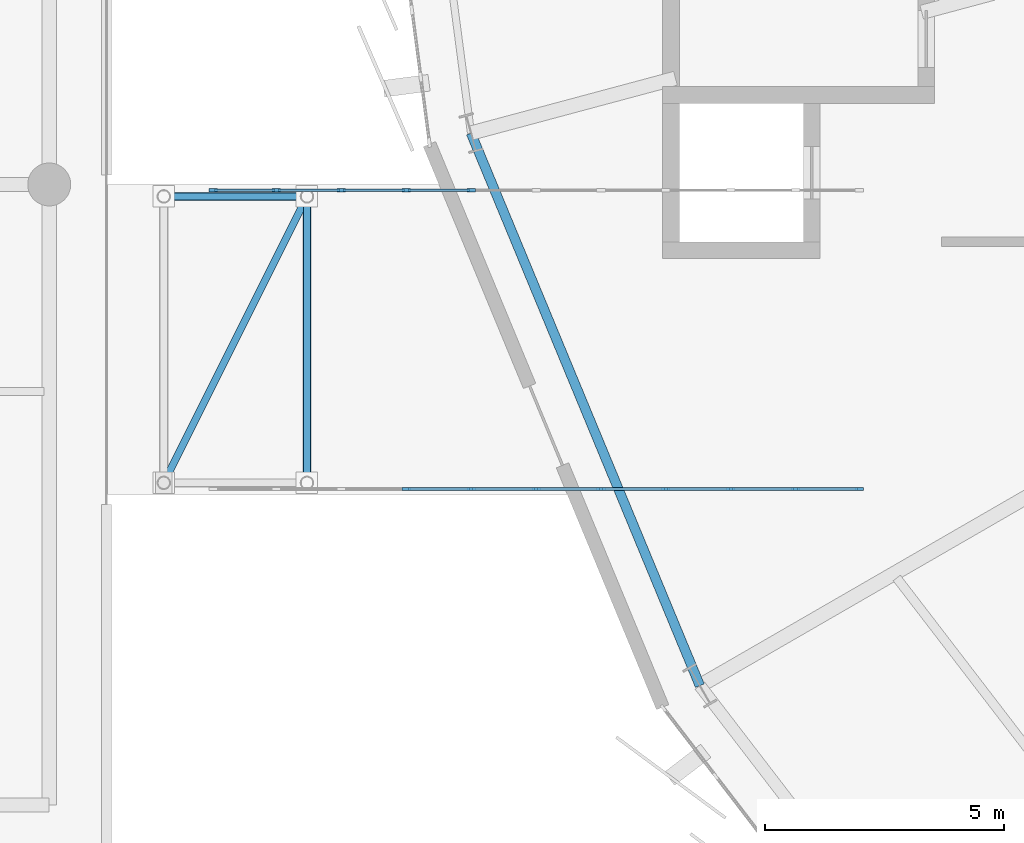
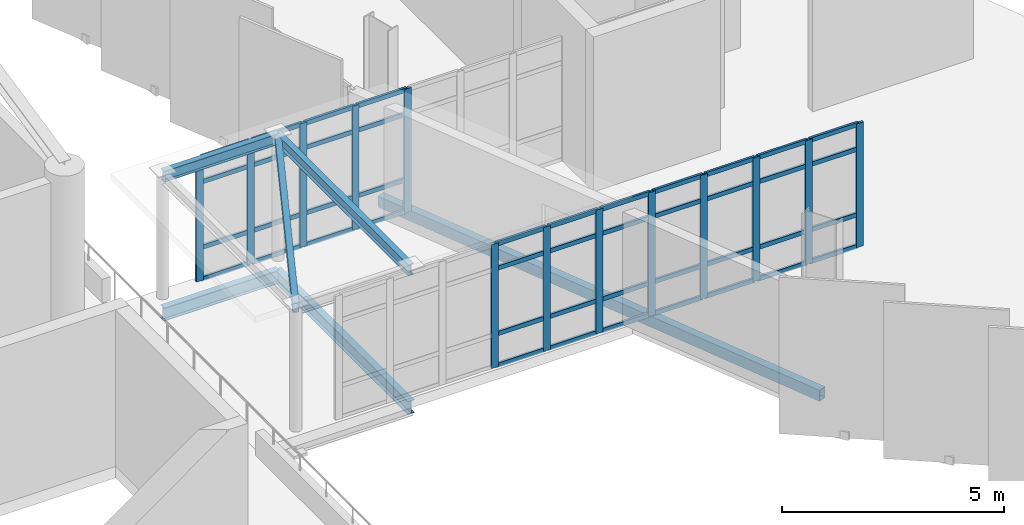
# One storey, part 28 of 120: 58 members, 5 beams, 2 elements without a shape of their own.
"""IFC4 building model written with IfcOpenShell, lengths in metres."""

from ifc_helpers import new_model, si_unit, direction, frame, origin, origin_2d, place, context, subcontext, project, spatial, rectangle, hollow_rectangle, i_section, extrude, material, layer, layer_set, material_profile, profile_set, type_object, element, aggregate, save


model = new_model("IFC4")

# Units and contexts
model_context = context("Model", 3, precision=1e-05, world=origin(), true_north=direction((0.0, 1.0)))
body_context = subcontext(model_context, "Body", "Model", "MODEL_VIEW")
ifc_project = project(units=[si_unit("LENGTHUNIT", "METRE"), si_unit("AREAUNIT", "SQUARE_METRE"), si_unit("VOLUMEUNIT", "CUBIC_METRE"), si_unit("PLANEANGLEUNIT", "RADIAN"), si_unit("MASSUNIT", "GRAM", prefix="KILO")], contexts=[model_context])

# Site, building, storey
site_placement = place(None, origin())
site = spatial("IfcSite", under=ifc_project, at=site_placement, CompositionType="ELEMENT")
building_placement = place(site_placement, origin())
building = spatial("IfcBuilding", under=site, at=building_placement, Name="Sohan Crest Arena", CompositionType="ELEMENT")
storey_placement = place(building_placement, frame((0.0, 0.0, 13.5)))
storey = spatial("IfcBuildingStorey", under=building, at=storey_placement, Name="L03", CompositionType="ELEMENT", Elevation=13.5)

# Curtain wall, members
ifc_material_1 = material(Name="Thermally broken anodised aluminium", Category="aluminium")
ifc_layer = layer(ifc_material_1, 0.18994140625, Name="Thermally broken anodised aluminium")
ifc_layer_set = layer_set([ifc_layer], Name="Thermally broken anodised aluminium")
curtain_wall_type = type_object("IfcCurtainWallType", Name="ARC-CW05", PredefinedType="NOTDEFINED", material=ifc_layer_set)
curtain_wall_1_placement = place(storey_placement, origin())
curtain_wall_1 = element("IfcCurtainWall", 1, at=curtain_wall_1_placement, inside=storey, type_object=curtain_wall_type, Name="Unitised curtain wall CW-229", PredefinedType="NOTDEFINED")
ifc_material_profile_1 = material_profile(ifc_material_1, rectangle(XDim=0.06494140625, YDim=0.179931640625, at=origin_2d()), Name="ALU-MULL 65x180")
ifc_profile_set_1 = profile_set([ifc_material_profile_1], Name="Thermally broken anodised aluminium")
member_type_1 = type_object("IfcMemberType", Name="ARC-CW-ML02", PredefinedType="MULLION", material=ifc_profile_set_1)
member_1_placement = place(storey_placement, frame((50.280029296875, 58.1201171875, 0.0), z_axis=(0.0, 0.0, 1.0), x_axis=(0.0, 1.0, 0.0)))
member_1 = element("IfcMember", 2, at=member_1_placement, type_object=member_type_1, Name="CW-229 mullion 4", PredefinedType="MULLION", context=body_context, shape_type="SweptSolid", body=[
    extrude(rectangle(XDim=0.06494140625, YDim=0.179931640625, at=origin_2d()), origin(), (0.0, 0.0, 1.0), 3.39990234375),
])
member_2_placement = place(storey_placement, frame((51.639892578125, 58.1201171875, 0.0), z_axis=(0.0, 0.0, 1.0), x_axis=(0.0, 1.0, 0.0)))
member_2 = element("IfcMember", 3, at=member_2_placement, type_object=member_type_1, Name="CW-229 mullion 5", PredefinedType="MULLION", context=body_context, shape_type="SweptSolid", body=[
    extrude(rectangle(XDim=0.06494140625, YDim=0.179931640625, at=origin_2d()), origin(), (0.0, 0.0, 1.0), 3.39990234375),
])
member_3_placement = place(storey_placement, frame((53.0, 58.1201171875, 0.0), z_axis=(0.0, 0.0, 1.0), x_axis=(0.0, 1.0, 0.0)))
member_3 = element("IfcMember", 4, at=member_3_placement, type_object=member_type_1, Name="CW-229 mullion 6", PredefinedType="MULLION", context=body_context, shape_type="SweptSolid", body=[
    extrude(rectangle(XDim=0.06494140625, YDim=0.179931640625, at=origin_2d()), origin(), (0.0, 0.0, 1.0), 3.39990234375),
])
member_4_placement = place(storey_placement, frame((54.360107421875, 58.1201171875, 0.0), z_axis=(0.0, 0.0, 1.0), x_axis=(0.0, 1.0, 0.0)))
member_4 = element("IfcMember", 5, at=member_4_placement, type_object=member_type_1, Name="CW-229 mullion 7", PredefinedType="MULLION", context=body_context, shape_type="SweptSolid", body=[
    extrude(rectangle(XDim=0.06494140625, YDim=0.179931640625, at=origin_2d()), origin(), (0.0, 0.0, 1.0), 3.39990234375),
])
member_5_placement = place(storey_placement, frame((55.719970703125, 58.1201171875, 0.0), z_axis=(0.0, 0.0, 1.0), x_axis=(0.0, 1.0, 0.0)))
member_5 = element("IfcMember", 6, at=member_5_placement, type_object=member_type_1, Name="CW-229 mullion 8", PredefinedType="MULLION", context=body_context, shape_type="SweptSolid", body=[
    extrude(rectangle(XDim=0.06494140625, YDim=0.179931640625, at=origin_2d()), origin(), (0.0, 0.0, 1.0), 3.39990234375),
])
member_6_placement = place(storey_placement, frame((57.080078125, 58.1201171875, 0.0), z_axis=(0.0, 0.0, 1.0), x_axis=(0.0, 1.0, 0.0)))
member_6 = element("IfcMember", 7, at=member_6_placement, type_object=member_type_1, Name="CW-229 mullion 9", PredefinedType="MULLION", context=body_context, shape_type="SweptSolid", body=[
    extrude(rectangle(XDim=0.06494140625, YDim=0.179931640625, at=origin_2d()), origin(), (0.0, 0.0, 1.0), 3.39990234375),
])
member_7_placement = place(storey_placement, frame((58.43994140625, 58.1201171875, 0.0), z_axis=(0.0, 0.0, 1.0), x_axis=(0.0, 1.0, 0.0)))
member_7 = element("IfcMember", 8, at=member_7_placement, type_object=member_type_1, Name="CW-229 mullion 10", PredefinedType="MULLION", context=body_context, shape_type="SweptSolid", body=[
    extrude(rectangle(XDim=0.06494140625, YDim=0.179931640625, at=origin_2d()), origin(), (0.0, 0.0, 1.0), 3.39990234375),
])
member_8_placement = place(storey_placement, frame((59.767578125, 58.1201171875, 0.0), z_axis=(0.0, 0.0, 1.0), x_axis=(0.0, 1.0, 0.0)))
member_8 = element("IfcMember", 9, at=member_8_placement, type_object=member_type_1, Name="CW-229 mullion 11", PredefinedType="MULLION", context=body_context, shape_type="SweptSolid", body=[
    extrude(rectangle(XDim=0.06494140625, YDim=0.179931640625, at=origin_2d()), origin(), (0.0, 0.0, 1.0), 3.39990234375),
])

curtain_wall_2_placement = place(storey_placement, origin())
curtain_wall_2 = element("IfcCurtainWall", 10, at=curtain_wall_2_placement, inside=storey, type_object=curtain_wall_type, Name="Unitised curtain wall CW-230", PredefinedType="NOTDEFINED")
member_9_placement = place(storey_placement, frame((46.232421875, 64.3798828125, 0.0), z_axis=(0.0, 0.0, 1.0), x_axis=(0.0, 1.0, 0.0)))
member_9 = element("IfcMember", 11, at=member_9_placement, type_object=member_type_1, Name="CW-230 mullion 1", PredefinedType="MULLION", context=body_context, shape_type="SweptSolid", body=[
    extrude(rectangle(XDim=0.06494140625, YDim=0.179931640625, at=origin_2d()), origin(), (0.0, 0.0, 1.0), 3.39990234375),
])
member_10_placement = place(storey_placement, frame((47.56005859375, 64.3798828125, 0.0), z_axis=(0.0, 0.0, 1.0), x_axis=(0.0, 1.0, 0.0)))
member_10 = element("IfcMember", 12, at=member_10_placement, type_object=member_type_1, Name="CW-230 mullion 2", PredefinedType="MULLION", context=body_context, shape_type="SweptSolid", body=[
    extrude(rectangle(XDim=0.06494140625, YDim=0.179931640625, at=origin_2d()), origin(), (0.0, 0.0, 1.0), 3.39990234375),
])
member_11_placement = place(storey_placement, frame((48.919921875, 64.3798828125, 0.0), z_axis=(0.0, 0.0, 1.0), x_axis=(0.0, 1.0, 0.0)))
member_11 = element("IfcMember", 13, at=member_11_placement, type_object=member_type_1, Name="CW-230 mullion 3", PredefinedType="MULLION", context=body_context, shape_type="SweptSolid", body=[
    extrude(rectangle(XDim=0.06494140625, YDim=0.179931640625, at=origin_2d()), origin(), (0.0, 0.0, 1.0), 3.39990234375),
])
member_12_placement = place(storey_placement, frame((50.280029296875, 64.3798828125, 0.0), z_axis=(0.0, 0.0, 1.0), x_axis=(0.0, 1.0, 0.0)))
member_12 = element("IfcMember", 14, at=member_12_placement, type_object=member_type_1, Name="CW-230 mullion 4", PredefinedType="MULLION", context=body_context, shape_type="SweptSolid", body=[
    extrude(rectangle(XDim=0.06494140625, YDim=0.179931640625, at=origin_2d()), origin(), (0.0, 0.0, 1.0), 3.39990234375),
])
member_13_placement = place(storey_placement, frame((51.639892578125, 64.3798828125, 0.0), z_axis=(0.0, 0.0, 1.0), x_axis=(0.0, 1.0, 0.0)))
member_13 = element("IfcMember", 15, at=member_13_placement, type_object=member_type_1, Name="CW-230 mullion 5", PredefinedType="MULLION", context=body_context, shape_type="SweptSolid", body=[
    extrude(rectangle(XDim=0.06494140625, YDim=0.179931640625, at=origin_2d()), origin(), (0.0, 0.0, 1.0), 3.39990234375),
])

# Member
ifc_material_profile_2 = material_profile(ifc_material_1, rectangle(XDim=0.06005859375, YDim=0.1201171875, at=origin_2d()), Name="ALU-TRAN 60x120")
ifc_profile_set_2 = profile_set([ifc_material_profile_2], Name="Thermally broken anodised aluminium")
member_type_2 = type_object("IfcMemberType", Name="ARC-CW-TR01", PredefinedType="USERDEFINED", material=ifc_profile_set_2)
member_14_placement = place(storey_placement, frame((50.3125, 58.1201171875, 0.030029296875), z_axis=(1.0, 0.0, 0.0), x_axis=(0.0, 1.0, 0.0)))
member_14 = element("IfcMember", 16, at=member_14_placement, type_object=member_type_2, Name="CW-229 transom 4.1", ObjectType="TRANSOM", PredefinedType="USERDEFINED", context=body_context, shape_type="SweptSolid", body=[
    extrude(rectangle(XDim=0.06005859375, YDim=0.1201171875, at=origin_2d()), origin(), (0.0, 0.0, 1.0), 1.294921875),
])

member_15_placement = place(storey_placement, frame((50.3125, 58.1201171875, 0.89990234375), z_axis=(1.0, 0.0, 0.0), x_axis=(0.0, 1.0, 0.0)))
member_15 = element("IfcMember", 17, at=member_15_placement, type_object=member_type_2, Name="CW-229 transom 4.2", ObjectType="TRANSOM", PredefinedType="USERDEFINED", context=body_context, shape_type="SweptSolid", body=[
    extrude(rectangle(XDim=0.06005859375, YDim=0.1201171875, at=origin_2d()), origin(), (0.0, 0.0, 1.0), 1.294921875),
])

member_16_placement = place(storey_placement, frame((50.3125, 58.1201171875, 2.699951171875), z_axis=(1.0, 0.0, 0.0), x_axis=(0.0, 1.0, 0.0)))
member_16 = element("IfcMember", 18, at=member_16_placement, type_object=member_type_2, Name="CW-229 transom 4.3", ObjectType="TRANSOM", PredefinedType="USERDEFINED", context=body_context, shape_type="SweptSolid", body=[
    extrude(rectangle(XDim=0.06005859375, YDim=0.1201171875, at=origin_2d()), origin(), (0.0, 0.0, 1.0), 1.294921875),
])

member_17_placement = place(storey_placement, frame((50.3125, 58.1201171875, 3.3701171875), z_axis=(1.0, 0.0, 0.0), x_axis=(0.0, 1.0, 0.0)))
member_17 = element("IfcMember", 19, at=member_17_placement, type_object=member_type_2, Name="CW-229 transom 4.4", ObjectType="TRANSOM", PredefinedType="USERDEFINED", context=body_context, shape_type="SweptSolid", body=[
    extrude(rectangle(XDim=0.06005859375, YDim=0.1201171875, at=origin_2d()), origin(), (0.0, 0.0, 1.0), 1.294921875),
])

member_18_placement = place(storey_placement, frame((51.672607421875, 58.1201171875, 0.030029296875), z_axis=(1.0, 0.0, 0.0), x_axis=(0.0, 1.0, 0.0)))
member_18 = element("IfcMember", 20, at=member_18_placement, type_object=member_type_2, Name="CW-229 transom 5.1", ObjectType="TRANSOM", PredefinedType="USERDEFINED", context=body_context, shape_type="SweptSolid", body=[
    extrude(rectangle(XDim=0.06005859375, YDim=0.1201171875, at=origin_2d()), origin(), (0.0, 0.0, 1.0), 1.294921875),
])

member_19_placement = place(storey_placement, frame((51.672607421875, 58.1201171875, 0.89990234375), z_axis=(1.0, 0.0, 0.0), x_axis=(0.0, 1.0, 0.0)))
member_19 = element("IfcMember", 21, at=member_19_placement, type_object=member_type_2, Name="CW-229 transom 5.2", ObjectType="TRANSOM", PredefinedType="USERDEFINED", context=body_context, shape_type="SweptSolid", body=[
    extrude(rectangle(XDim=0.06005859375, YDim=0.1201171875, at=origin_2d()), origin(), (0.0, 0.0, 1.0), 1.294921875),
])

member_20_placement = place(storey_placement, frame((51.672607421875, 58.1201171875, 2.699951171875), z_axis=(1.0, 0.0, 0.0), x_axis=(0.0, 1.0, 0.0)))
member_20 = element("IfcMember", 22, at=member_20_placement, type_object=member_type_2, Name="CW-229 transom 5.3", ObjectType="TRANSOM", PredefinedType="USERDEFINED", context=body_context, shape_type="SweptSolid", body=[
    extrude(rectangle(XDim=0.06005859375, YDim=0.1201171875, at=origin_2d()), origin(), (0.0, 0.0, 1.0), 1.294921875),
])

member_21_placement = place(storey_placement, frame((51.672607421875, 58.1201171875, 3.3701171875), z_axis=(1.0, 0.0, 0.0), x_axis=(0.0, 1.0, 0.0)))
member_21 = element("IfcMember", 23, at=member_21_placement, type_object=member_type_2, Name="CW-229 transom 5.4", ObjectType="TRANSOM", PredefinedType="USERDEFINED", context=body_context, shape_type="SweptSolid", body=[
    extrude(rectangle(XDim=0.06005859375, YDim=0.1201171875, at=origin_2d()), origin(), (0.0, 0.0, 1.0), 1.294921875),
])

member_22_placement = place(storey_placement, frame((53.032470703125, 58.1201171875, 0.030029296875), z_axis=(1.0, 0.0, 0.0), x_axis=(0.0, 1.0, 0.0)))
member_22 = element("IfcMember", 24, at=member_22_placement, type_object=member_type_2, Name="CW-229 transom 6.1", ObjectType="TRANSOM", PredefinedType="USERDEFINED", context=body_context, shape_type="SweptSolid", body=[
    extrude(rectangle(XDim=0.06005859375, YDim=0.1201171875, at=origin_2d()), origin(), (0.0, 0.0, 1.0), 1.294921875),
])

member_23_placement = place(storey_placement, frame((53.032470703125, 58.1201171875, 0.89990234375), z_axis=(1.0, 0.0, 0.0), x_axis=(0.0, 1.0, 0.0)))
member_23 = element("IfcMember", 25, at=member_23_placement, type_object=member_type_2, Name="CW-229 transom 6.2", ObjectType="TRANSOM", PredefinedType="USERDEFINED", context=body_context, shape_type="SweptSolid", body=[
    extrude(rectangle(XDim=0.06005859375, YDim=0.1201171875, at=origin_2d()), origin(), (0.0, 0.0, 1.0), 1.294921875),
])

member_24_placement = place(storey_placement, frame((53.032470703125, 58.1201171875, 2.699951171875), z_axis=(1.0, 0.0, 0.0), x_axis=(0.0, 1.0, 0.0)))
member_24 = element("IfcMember", 26, at=member_24_placement, type_object=member_type_2, Name="CW-229 transom 6.3", ObjectType="TRANSOM", PredefinedType="USERDEFINED", context=body_context, shape_type="SweptSolid", body=[
    extrude(rectangle(XDim=0.06005859375, YDim=0.1201171875, at=origin_2d()), origin(), (0.0, 0.0, 1.0), 1.294921875),
])

member_25_placement = place(storey_placement, frame((53.032470703125, 58.1201171875, 3.3701171875), z_axis=(1.0, 0.0, 0.0), x_axis=(0.0, 1.0, 0.0)))
member_25 = element("IfcMember", 27, at=member_25_placement, type_object=member_type_2, Name="CW-229 transom 6.4", ObjectType="TRANSOM", PredefinedType="USERDEFINED", context=body_context, shape_type="SweptSolid", body=[
    extrude(rectangle(XDim=0.06005859375, YDim=0.1201171875, at=origin_2d()), origin(), (0.0, 0.0, 1.0), 1.294921875),
])

member_26_placement = place(storey_placement, frame((54.392578125, 58.1201171875, 0.030029296875), z_axis=(1.0, 0.0, 0.0), x_axis=(0.0, 1.0, 0.0)))
member_26 = element("IfcMember", 28, at=member_26_placement, type_object=member_type_2, Name="CW-229 transom 7.1", ObjectType="TRANSOM", PredefinedType="USERDEFINED", context=body_context, shape_type="SweptSolid", body=[
    extrude(rectangle(XDim=0.06005859375, YDim=0.1201171875, at=origin_2d()), origin(), (0.0, 0.0, 1.0), 1.294921875),
])

member_27_placement = place(storey_placement, frame((54.392578125, 58.1201171875, 0.89990234375), z_axis=(1.0, 0.0, 0.0), x_axis=(0.0, 1.0, 0.0)))
member_27 = element("IfcMember", 29, at=member_27_placement, type_object=member_type_2, Name="CW-229 transom 7.2", ObjectType="TRANSOM", PredefinedType="USERDEFINED", context=body_context, shape_type="SweptSolid", body=[
    extrude(rectangle(XDim=0.06005859375, YDim=0.1201171875, at=origin_2d()), origin(), (0.0, 0.0, 1.0), 1.294921875),
])

member_28_placement = place(storey_placement, frame((54.392578125, 58.1201171875, 2.699951171875), z_axis=(1.0, 0.0, 0.0), x_axis=(0.0, 1.0, 0.0)))
member_28 = element("IfcMember", 30, at=member_28_placement, type_object=member_type_2, Name="CW-229 transom 7.3", ObjectType="TRANSOM", PredefinedType="USERDEFINED", context=body_context, shape_type="SweptSolid", body=[
    extrude(rectangle(XDim=0.06005859375, YDim=0.1201171875, at=origin_2d()), origin(), (0.0, 0.0, 1.0), 1.294921875),
])

member_29_placement = place(storey_placement, frame((54.392578125, 58.1201171875, 3.3701171875), z_axis=(1.0, 0.0, 0.0), x_axis=(0.0, 1.0, 0.0)))
member_29 = element("IfcMember", 31, at=member_29_placement, type_object=member_type_2, Name="CW-229 transom 7.4", ObjectType="TRANSOM", PredefinedType="USERDEFINED", context=body_context, shape_type="SweptSolid", body=[
    extrude(rectangle(XDim=0.06005859375, YDim=0.1201171875, at=origin_2d()), origin(), (0.0, 0.0, 1.0), 1.294921875),
])

member_30_placement = place(storey_placement, frame((55.75244140625, 58.1201171875, 0.030029296875), z_axis=(1.0, 0.0, 0.0), x_axis=(0.0, 1.0, 0.0)))
member_30 = element("IfcMember", 32, at=member_30_placement, type_object=member_type_2, Name="CW-229 transom 8.1", ObjectType="TRANSOM", PredefinedType="USERDEFINED", context=body_context, shape_type="SweptSolid", body=[
    extrude(rectangle(XDim=0.06005859375, YDim=0.1201171875, at=origin_2d()), origin(), (0.0, 0.0, 1.0), 1.295166015625),
])

member_31_placement = place(storey_placement, frame((55.75244140625, 58.1201171875, 0.89990234375), z_axis=(1.0, 0.0, 0.0), x_axis=(0.0, 1.0, 0.0)))
member_31 = element("IfcMember", 33, at=member_31_placement, type_object=member_type_2, Name="CW-229 transom 8.2", ObjectType="TRANSOM", PredefinedType="USERDEFINED", context=body_context, shape_type="SweptSolid", body=[
    extrude(rectangle(XDim=0.06005859375, YDim=0.1201171875, at=origin_2d()), origin(), (0.0, 0.0, 1.0), 1.295166015625),
])

member_32_placement = place(storey_placement, frame((55.75244140625, 58.1201171875, 2.699951171875), z_axis=(1.0, 0.0, 0.0), x_axis=(0.0, 1.0, 0.0)))
member_32 = element("IfcMember", 34, at=member_32_placement, type_object=member_type_2, Name="CW-229 transom 8.3", ObjectType="TRANSOM", PredefinedType="USERDEFINED", context=body_context, shape_type="SweptSolid", body=[
    extrude(rectangle(XDim=0.06005859375, YDim=0.1201171875, at=origin_2d()), origin(), (0.0, 0.0, 1.0), 1.295166015625),
])

member_33_placement = place(storey_placement, frame((55.75244140625, 58.1201171875, 3.3701171875), z_axis=(1.0, 0.0, 0.0), x_axis=(0.0, 1.0, 0.0)))
member_33 = element("IfcMember", 35, at=member_33_placement, type_object=member_type_2, Name="CW-229 transom 8.4", ObjectType="TRANSOM", PredefinedType="USERDEFINED", context=body_context, shape_type="SweptSolid", body=[
    extrude(rectangle(XDim=0.06005859375, YDim=0.1201171875, at=origin_2d()), origin(), (0.0, 0.0, 1.0), 1.295166015625),
])

member_34_placement = place(storey_placement, frame((57.112548828125, 58.1201171875, 0.030029296875), z_axis=(1.0, 0.0, 0.0), x_axis=(0.0, 1.0, 0.0)))
member_34 = element("IfcMember", 36, at=member_34_placement, type_object=member_type_2, Name="CW-229 transom 9.1", ObjectType="TRANSOM", PredefinedType="USERDEFINED", context=body_context, shape_type="SweptSolid", body=[
    extrude(rectangle(XDim=0.06005859375, YDim=0.1201171875, at=origin_2d()), origin(), (0.0, 0.0, 1.0), 1.294921875),
])

member_35_placement = place(storey_placement, frame((57.112548828125, 58.1201171875, 0.89990234375), z_axis=(1.0, 0.0, 0.0), x_axis=(0.0, 1.0, 0.0)))
member_35 = element("IfcMember", 37, at=member_35_placement, type_object=member_type_2, Name="CW-229 transom 9.2", ObjectType="TRANSOM", PredefinedType="USERDEFINED", context=body_context, shape_type="SweptSolid", body=[
    extrude(rectangle(XDim=0.06005859375, YDim=0.1201171875, at=origin_2d()), origin(), (0.0, 0.0, 1.0), 1.294921875),
])

member_36_placement = place(storey_placement, frame((57.112548828125, 58.1201171875, 2.699951171875), z_axis=(1.0, 0.0, 0.0), x_axis=(0.0, 1.0, 0.0)))
member_36 = element("IfcMember", 38, at=member_36_placement, type_object=member_type_2, Name="CW-229 transom 9.3", ObjectType="TRANSOM", PredefinedType="USERDEFINED", context=body_context, shape_type="SweptSolid", body=[
    extrude(rectangle(XDim=0.06005859375, YDim=0.1201171875, at=origin_2d()), origin(), (0.0, 0.0, 1.0), 1.294921875),
])

member_37_placement = place(storey_placement, frame((57.112548828125, 58.1201171875, 3.3701171875), z_axis=(1.0, 0.0, 0.0), x_axis=(0.0, 1.0, 0.0)))
member_37 = element("IfcMember", 39, at=member_37_placement, type_object=member_type_2, Name="CW-229 transom 9.4", ObjectType="TRANSOM", PredefinedType="USERDEFINED", context=body_context, shape_type="SweptSolid", body=[
    extrude(rectangle(XDim=0.06005859375, YDim=0.1201171875, at=origin_2d()), origin(), (0.0, 0.0, 1.0), 1.294921875),
])

member_38_placement = place(storey_placement, frame((58.472412109375, 58.1201171875, 0.030029296875), z_axis=(1.0, 0.0, 0.0), x_axis=(0.0, 1.0, 0.0)))
member_38 = element("IfcMember", 40, at=member_38_placement, type_object=member_type_2, Name="CW-229 transom 10.1", ObjectType="TRANSOM", PredefinedType="USERDEFINED", context=body_context, shape_type="SweptSolid", body=[
    extrude(rectangle(XDim=0.06005859375, YDim=0.1201171875, at=origin_2d()), origin(), (0.0, 0.0, 1.0), 1.2626953125),
])

member_39_placement = place(storey_placement, frame((58.472412109375, 58.1201171875, 0.89990234375), z_axis=(1.0, 0.0, 0.0), x_axis=(0.0, 1.0, 0.0)))
member_39 = element("IfcMember", 41, at=member_39_placement, type_object=member_type_2, Name="CW-229 transom 10.2", ObjectType="TRANSOM", PredefinedType="USERDEFINED", context=body_context, shape_type="SweptSolid", body=[
    extrude(rectangle(XDim=0.06005859375, YDim=0.1201171875, at=origin_2d()), origin(), (0.0, 0.0, 1.0), 1.2626953125),
])

member_40_placement = place(storey_placement, frame((58.472412109375, 58.1201171875, 2.699951171875), z_axis=(1.0, 0.0, 0.0), x_axis=(0.0, 1.0, 0.0)))
member_40 = element("IfcMember", 42, at=member_40_placement, type_object=member_type_2, Name="CW-229 transom 10.3", ObjectType="TRANSOM", PredefinedType="USERDEFINED", context=body_context, shape_type="SweptSolid", body=[
    extrude(rectangle(XDim=0.06005859375, YDim=0.1201171875, at=origin_2d()), origin(), (0.0, 0.0, 1.0), 1.2626953125),
])

member_41_placement = place(storey_placement, frame((58.472412109375, 58.1201171875, 3.3701171875), z_axis=(1.0, 0.0, 0.0), x_axis=(0.0, 1.0, 0.0)))
member_41 = element("IfcMember", 43, at=member_41_placement, type_object=member_type_2, Name="CW-229 transom 10.4", ObjectType="TRANSOM", PredefinedType="USERDEFINED", context=body_context, shape_type="SweptSolid", body=[
    extrude(rectangle(XDim=0.06005859375, YDim=0.1201171875, at=origin_2d()), origin(), (0.0, 0.0, 1.0), 1.2626953125),
])

aggregate(curtain_wall_1, [member_1, member_2, member_3, member_4, member_5, member_6, member_7, member_8, member_14, member_15, member_16, member_17, member_18, member_19, member_20, member_21, member_22, member_23, member_24, member_25, member_26, member_27, member_28, member_29, member_30, member_31, member_32, member_33, member_34, member_35, member_36, member_37, member_38, member_39, member_40, member_41])

member_42_placement = place(storey_placement, frame((46.264892578125, 64.3798828125, 0.030029296875), z_axis=(1.0, 0.0, 0.0), x_axis=(0.0, 1.0, 0.0)))
member_42 = element("IfcMember", 44, at=member_42_placement, type_object=member_type_2, Name="CW-230 transom 1.1", ObjectType="TRANSOM", PredefinedType="USERDEFINED", context=body_context, shape_type="SweptSolid", body=[
    extrude(rectangle(XDim=0.06005859375, YDim=0.1201171875, at=origin_2d()), origin(), (0.0, 0.0, 1.0), 1.2626953125),
])

member_43_placement = place(storey_placement, frame((46.264892578125, 64.3798828125, 0.89990234375), z_axis=(1.0, 0.0, 0.0), x_axis=(0.0, 1.0, 0.0)))
member_43 = element("IfcMember", 45, at=member_43_placement, type_object=member_type_2, Name="CW-230 transom 1.2", ObjectType="TRANSOM", PredefinedType="USERDEFINED", context=body_context, shape_type="SweptSolid", body=[
    extrude(rectangle(XDim=0.06005859375, YDim=0.1201171875, at=origin_2d()), origin(), (0.0, 0.0, 1.0), 1.2626953125),
])

member_44_placement = place(storey_placement, frame((46.264892578125, 64.3798828125, 2.699951171875), z_axis=(1.0, 0.0, 0.0), x_axis=(0.0, 1.0, 0.0)))
member_44 = element("IfcMember", 46, at=member_44_placement, type_object=member_type_2, Name="CW-230 transom 1.3", ObjectType="TRANSOM", PredefinedType="USERDEFINED", context=body_context, shape_type="SweptSolid", body=[
    extrude(rectangle(XDim=0.06005859375, YDim=0.1201171875, at=origin_2d()), origin(), (0.0, 0.0, 1.0), 1.2626953125),
])

member_45_placement = place(storey_placement, frame((46.264892578125, 64.3798828125, 3.3701171875), z_axis=(1.0, 0.0, 0.0), x_axis=(0.0, 1.0, 0.0)))
member_45 = element("IfcMember", 47, at=member_45_placement, type_object=member_type_2, Name="CW-230 transom 1.4", ObjectType="TRANSOM", PredefinedType="USERDEFINED", context=body_context, shape_type="SweptSolid", body=[
    extrude(rectangle(XDim=0.06005859375, YDim=0.1201171875, at=origin_2d()), origin(), (0.0, 0.0, 1.0), 1.2626953125),
])

member_46_placement = place(storey_placement, frame((47.592529296875, 64.3798828125, 0.030029296875), z_axis=(1.0, 0.0, 0.0), x_axis=(0.0, 1.0, 0.0)))
member_46 = element("IfcMember", 48, at=member_46_placement, type_object=member_type_2, Name="CW-230 transom 2.1", ObjectType="TRANSOM", PredefinedType="USERDEFINED", context=body_context, shape_type="SweptSolid", body=[
    extrude(rectangle(XDim=0.06005859375, YDim=0.1201171875, at=origin_2d()), origin(), (0.0, 0.0, 1.0), 1.294921875),
])

member_47_placement = place(storey_placement, frame((47.592529296875, 64.3798828125, 0.89990234375), z_axis=(1.0, 0.0, 0.0), x_axis=(0.0, 1.0, 0.0)))
member_47 = element("IfcMember", 49, at=member_47_placement, type_object=member_type_2, Name="CW-230 transom 2.2", ObjectType="TRANSOM", PredefinedType="USERDEFINED", context=body_context, shape_type="SweptSolid", body=[
    extrude(rectangle(XDim=0.06005859375, YDim=0.1201171875, at=origin_2d()), origin(), (0.0, 0.0, 1.0), 1.294921875),
])

member_48_placement = place(storey_placement, frame((47.592529296875, 64.3798828125, 2.699951171875), z_axis=(1.0, 0.0, 0.0), x_axis=(0.0, 1.0, 0.0)))
member_48 = element("IfcMember", 50, at=member_48_placement, type_object=member_type_2, Name="CW-230 transom 2.3", ObjectType="TRANSOM", PredefinedType="USERDEFINED", context=body_context, shape_type="SweptSolid", body=[
    extrude(rectangle(XDim=0.06005859375, YDim=0.1201171875, at=origin_2d()), origin(), (0.0, 0.0, 1.0), 1.294921875),
])

member_49_placement = place(storey_placement, frame((47.592529296875, 64.3798828125, 3.3701171875), z_axis=(1.0, 0.0, 0.0), x_axis=(0.0, 1.0, 0.0)))
member_49 = element("IfcMember", 51, at=member_49_placement, type_object=member_type_2, Name="CW-230 transom 2.4", ObjectType="TRANSOM", PredefinedType="USERDEFINED", context=body_context, shape_type="SweptSolid", body=[
    extrude(rectangle(XDim=0.06005859375, YDim=0.1201171875, at=origin_2d()), origin(), (0.0, 0.0, 1.0), 1.294921875),
])

member_50_placement = place(storey_placement, frame((48.952392578125, 64.3798828125, 0.030029296875), z_axis=(1.0, 0.0, 0.0), x_axis=(0.0, 1.0, 0.0)))
member_50 = element("IfcMember", 52, at=member_50_placement, type_object=member_type_2, Name="CW-230 transom 3.1", ObjectType="TRANSOM", PredefinedType="USERDEFINED", context=body_context, shape_type="SweptSolid", body=[
    extrude(rectangle(XDim=0.06005859375, YDim=0.1201171875, at=origin_2d()), origin(), (0.0, 0.0, 1.0), 1.295166015625),
])

member_51_placement = place(storey_placement, frame((48.952392578125, 64.3798828125, 0.89990234375), z_axis=(1.0, 0.0, 0.0), x_axis=(0.0, 1.0, 0.0)))
member_51 = element("IfcMember", 53, at=member_51_placement, type_object=member_type_2, Name="CW-230 transom 3.2", ObjectType="TRANSOM", PredefinedType="USERDEFINED", context=body_context, shape_type="SweptSolid", body=[
    extrude(rectangle(XDim=0.06005859375, YDim=0.1201171875, at=origin_2d()), origin(), (0.0, 0.0, 1.0), 1.295166015625),
])

member_52_placement = place(storey_placement, frame((48.952392578125, 64.3798828125, 2.699951171875), z_axis=(1.0, 0.0, 0.0), x_axis=(0.0, 1.0, 0.0)))
member_52 = element("IfcMember", 54, at=member_52_placement, type_object=member_type_2, Name="CW-230 transom 3.3", ObjectType="TRANSOM", PredefinedType="USERDEFINED", context=body_context, shape_type="SweptSolid", body=[
    extrude(rectangle(XDim=0.06005859375, YDim=0.1201171875, at=origin_2d()), origin(), (0.0, 0.0, 1.0), 1.295166015625),
])

member_53_placement = place(storey_placement, frame((48.952392578125, 64.3798828125, 3.3701171875), z_axis=(1.0, 0.0, 0.0), x_axis=(0.0, 1.0, 0.0)))
member_53 = element("IfcMember", 55, at=member_53_placement, type_object=member_type_2, Name="CW-230 transom 3.4", ObjectType="TRANSOM", PredefinedType="USERDEFINED", context=body_context, shape_type="SweptSolid", body=[
    extrude(rectangle(XDim=0.06005859375, YDim=0.1201171875, at=origin_2d()), origin(), (0.0, 0.0, 1.0), 1.295166015625),
])

member_54_placement = place(storey_placement, frame((50.3125, 64.3798828125, 0.030029296875), z_axis=(1.0, 0.0, 0.0), x_axis=(0.0, 1.0, 0.0)))
member_54 = element("IfcMember", 56, at=member_54_placement, type_object=member_type_2, Name="CW-230 transom 4.1", ObjectType="TRANSOM", PredefinedType="USERDEFINED", context=body_context, shape_type="SweptSolid", body=[
    extrude(rectangle(XDim=0.06005859375, YDim=0.1201171875, at=origin_2d()), origin(), (0.0, 0.0, 1.0), 1.294921875),
])

member_55_placement = place(storey_placement, frame((50.3125, 64.3798828125, 0.89990234375), z_axis=(1.0, 0.0, 0.0), x_axis=(0.0, 1.0, 0.0)))
member_55 = element("IfcMember", 57, at=member_55_placement, type_object=member_type_2, Name="CW-230 transom 4.2", ObjectType="TRANSOM", PredefinedType="USERDEFINED", context=body_context, shape_type="SweptSolid", body=[
    extrude(rectangle(XDim=0.06005859375, YDim=0.1201171875, at=origin_2d()), origin(), (0.0, 0.0, 1.0), 1.294921875),
])

member_56_placement = place(storey_placement, frame((50.3125, 64.3798828125, 2.699951171875), z_axis=(1.0, 0.0, 0.0), x_axis=(0.0, 1.0, 0.0)))
member_56 = element("IfcMember", 58, at=member_56_placement, type_object=member_type_2, Name="CW-230 transom 4.3", ObjectType="TRANSOM", PredefinedType="USERDEFINED", context=body_context, shape_type="SweptSolid", body=[
    extrude(rectangle(XDim=0.06005859375, YDim=0.1201171875, at=origin_2d()), origin(), (0.0, 0.0, 1.0), 1.294921875),
])

member_57_placement = place(storey_placement, frame((50.3125, 64.3798828125, 3.3701171875), z_axis=(1.0, 0.0, 0.0), x_axis=(0.0, 1.0, 0.0)))
member_57 = element("IfcMember", 59, at=member_57_placement, type_object=member_type_2, Name="CW-230 transom 4.4", ObjectType="TRANSOM", PredefinedType="USERDEFINED", context=body_context, shape_type="SweptSolid", body=[
    extrude(rectangle(XDim=0.06005859375, YDim=0.1201171875, at=origin_2d()), origin(), (0.0, 0.0, 1.0), 1.294921875),
])

aggregate(curtain_wall_2, [member_9, member_10, member_11, member_12, member_13, member_42, member_43, member_44, member_45, member_46, member_47, member_48, member_49, member_50, member_51, member_52, member_53, member_54, member_55, member_56, member_57])

# Beams
ifc_material_2 = material(Name="Steel S355", Category="steel")
ifc_material_profile_3 = material_profile(ifc_material_2, i_section(OverallWidth=0.14990234375, OverallDepth=0.300048828125, WebThickness=0.007080078125, FlangeThickness=0.0107421875, at=origin_2d()), Name="IPE 300")
ifc_profile_set_3 = profile_set([ifc_material_profile_3], Name="Steel S355")
beam_type_1 = type_object("IfcBeamType", Name="STR-BM-B01", PredefinedType="JOIST", material=ifc_profile_set_3)
beam_1_placement = place(storey_placement, frame((45.199951171875, 64.25, 3.324951171875), z_axis=(1.0, 0.0, 0.0), x_axis=(0.0, 1.0, 0.0)))
element("IfcBeam", 60, at=beam_1_placement, inside=storey, type_object=beam_type_1, Name="Structural beam BRG-L03-2937", PredefinedType="JOIST", context=body_context, shape_type="SweptSolid", body=[
    extrude(i_section(OverallWidth=0.14990234375, OverallDepth=0.300048828125, WebThickness=0.007080078125, FlangeThickness=0.0107421875, at=origin_2d()), origin(), (0.0, 0.0, 1.0), 3.0),
])
beam_2_placement = place(storey_placement, frame((48.199951171875, 58.25, 3.324951171875), z_axis=(0.0, 1.0, 0.0), x_axis=(-1.0, 0.0, 0.0)))
element("IfcBeam", 61, at=beam_2_placement, inside=storey, type_object=beam_type_1, Name="Structural beam BRG-L03-2939", PredefinedType="JOIST", context=body_context, shape_type="SweptSolid", body=[
    extrude(i_section(OverallWidth=0.14990234375, OverallDepth=0.300048828125, WebThickness=0.007080078125, FlangeThickness=0.0107421875, at=origin_2d()), origin(), (0.0, 0.0, 1.0), 6.0),
])
ifc_material_profile_4 = material_profile(ifc_material_2, i_section(OverallWidth=0.169921875, OverallDepth=0.360107421875, WebThickness=0.008056640625, FlangeThickness=0.0126953125, at=origin_2d()), Name="IPE 360")
ifc_profile_set_4 = profile_set([ifc_material_profile_4], Name="Steel S355")
beam_type_2 = type_object("IfcBeamType", Name="STR-BM-B02", PredefinedType="JOIST", material=ifc_profile_set_4)
beam_3_placement = place(storey_placement, frame((45.199951171875, 64.25, -0.455078125), z_axis=(1.0, 0.0, 0.0), x_axis=(0.0, 1.0, 0.0)))
element("IfcBeam", 62, at=beam_3_placement, inside=storey, type_object=beam_type_2, Name="Structural beam BG-L03-2933", PredefinedType="JOIST", context=body_context, shape_type="SweptSolid", body=[
    extrude(i_section(OverallWidth=0.169921875, OverallDepth=0.360107421875, WebThickness=0.008056640625, FlangeThickness=0.0126953125, at=origin_2d()), origin(), (0.0, 0.0, 1.0), 3.0),
])
beam_4_placement = place(storey_placement, frame((48.199951171875, 58.25, -0.455078125), z_axis=(0.0, 1.0, 0.0), x_axis=(-1.0, 0.0, 0.0)))
element("IfcBeam", 63, at=beam_4_placement, inside=storey, type_object=beam_type_2, Name="Structural beam BG-L03-2935", PredefinedType="JOIST", context=body_context, shape_type="SweptSolid", body=[
    extrude(i_section(OverallWidth=0.169921875, OverallDepth=0.360107421875, WebThickness=0.008056640625, FlangeThickness=0.0126953125, at=origin_2d()), origin(), (0.0, 0.0, 1.0), 6.0),
])
ifc_material_profile_5 = material_profile(ifc_material_2, hollow_rectangle(XDim=0.199951171875, YDim=0.300048828125, WallThickness=0.010009765625, at=origin_2d()), Name="RHS 300x200x10")
ifc_profile_set_5 = profile_set([ifc_material_profile_5], Name="Steel S355")
beam_type_3 = type_object("IfcBeamType", Name="STR-BM-SP03", PredefinedType="SPANDREL", material=ifc_profile_set_5)
beam_5_placement = place(storey_placement, frame((51.635986328125, 65.576904296875, -0.39990234375), z_axis=(0.382656941645, -0.923890504882, 0.0), x_axis=(0.923890504882, 0.382656941645, 0.0)))
element("IfcBeam", 64, at=beam_5_placement, inside=storey, type_object=beam_type_3, Name="Structural beam SP-L03-1429", PredefinedType="SPANDREL", context=body_context, shape_type="SweptSolid", body=[
    extrude(hollow_rectangle(XDim=0.199951171875, YDim=0.300048828125, WallThickness=0.010009765625, at=origin_2d()), origin(), (0.0, 0.0, 1.0), 12.530517578125),
])

# Member
ifc_material_profile_6 = material_profile(ifc_material_2, hollow_rectangle(XDim=0.14990234375, YDim=0.25, WallThickness=0.010009765625, at=origin_2d()), Name="RHS 250x150x10")
ifc_profile_set_6 = profile_set([ifc_material_profile_6], Name="Steel S355")
member_type_3 = type_object("IfcMemberType", Name="STR-MEM-CH02", PredefinedType="CHORD", material=ifc_profile_set_6)
member_58_placement = place(storey_placement, frame((45.199951171875, 58.25, 3.324951171875), z_axis=(0.4472135955, 0.894427191, 0.0), x_axis=(-0.894427191, 0.4472135955, 0.0)))
element("IfcMember", 65, at=member_58_placement, inside=storey, type_object=member_type_3, Name="Bridge roof tie chord CH-001", PredefinedType="CHORD", context=body_context, shape_type="SweptSolid", body=[
    extrude(hollow_rectangle(XDim=0.14990234375, YDim=0.25, WallThickness=0.010009765625, at=origin_2d()), origin(), (0.0, 0.0, 1.0), 6.708251953125),
])

save(model, "model.ifc")
